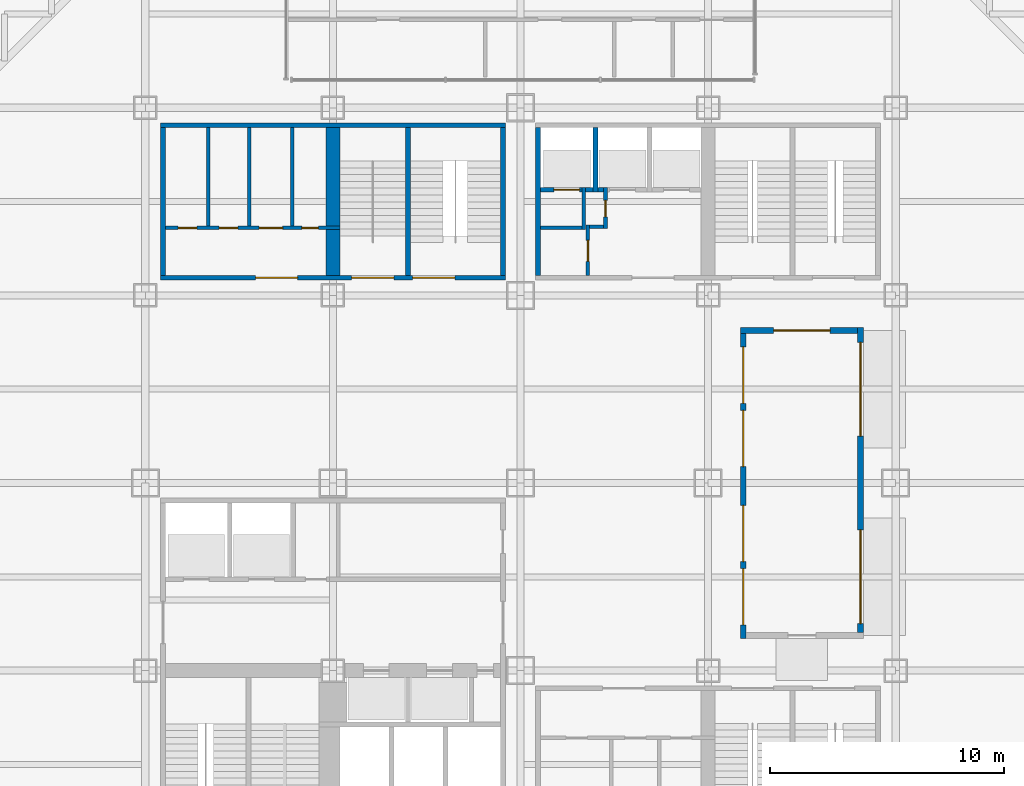
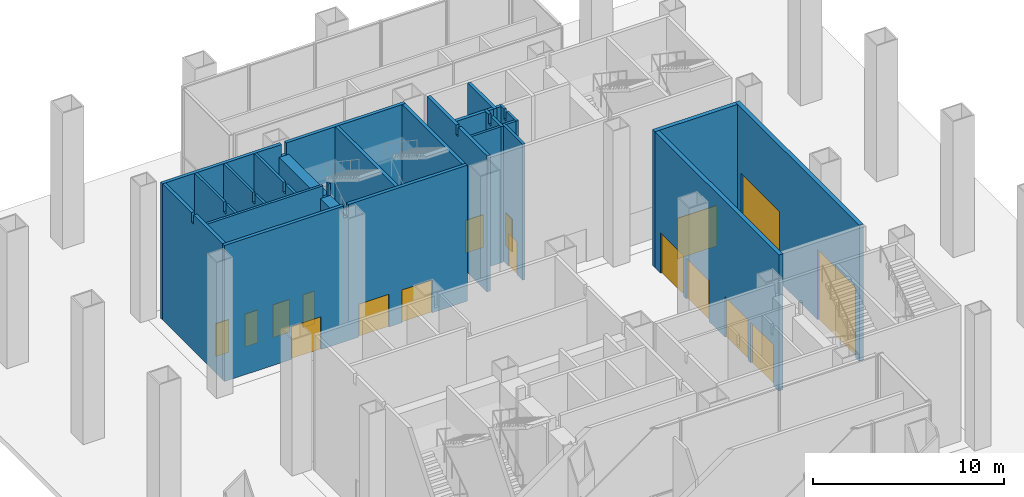
# One storey, part 9 of 14: 24 walls, 17 doors, 17 openings.
"""IFC4 building model written with IfcOpenShell, lengths in metres."""

from ifc_helpers import new_model, si_unit, direction, frame, frame_2d, origin, place, context, subcontext, project, spatial, polyline, rectangle, outline, extrude, material, layer, layer_set, type_object, element, fill, save


model = new_model("IFC4")

# Units and contexts
model_context = context("Model", 3, precision=1e-05, world=origin(), true_north=direction((0.0, 1.0)))
body_context = subcontext(model_context, "Body", "Model", "MODEL_VIEW")
ifc_project = project(units=[si_unit("LENGTHUNIT", "METRE"), si_unit("AREAUNIT", "SQUARE_METRE"), si_unit("VOLUMEUNIT", "CUBIC_METRE"), si_unit("PLANEANGLEUNIT", "RADIAN"), si_unit("MASSUNIT", "GRAM", prefix="KILO")], contexts=[model_context])

# Site, building, storey
site_placement = place(None, origin())
site = spatial("IfcSite", under=ifc_project, at=site_placement, CompositionType="ELEMENT")
building_placement = place(site_placement, origin())
building = spatial("IfcBuilding", under=site, at=building_placement, Name="Immortelle Media Tower", CompositionType="ELEMENT")
storey_placement = place(building_placement, origin())
storey = spatial("IfcBuildingStorey", under=building, at=storey_placement, Name="G", CompositionType="ELEMENT", Elevation=0.0)

# Wall, openings, doors
ifc_material_1 = material(Name="Fire-rated gypsum board", Category="gypsum")
ifc_layer_1 = layer(ifc_material_1, 0.02490234375)
ifc_material_2 = material(Name="Steel ASTM A653 SS Gr 50 stud frame with mineral wool", Category="steel")
ifc_layer_2 = layer(ifc_material_2, 0.10009765625)
ifc_layer_3 = layer(ifc_material_1, 0.02490234375)
ifc_layer_set_1 = layer_set([ifc_layer_1, ifc_layer_2, ifc_layer_3], Name="Steel ASTM A653 SS Gr 50 stud frame with mineral wool")
wall_type_1 = type_object("IfcWallType", Name="Core partition 150", PredefinedType="PARTITIONING", material=ifc_layer_set_1)
wall_1_placement = place(storey_placement, frame((8.85009765625, 34.875, 0.0), z_axis=(0.0, 0.0, 1.0), x_axis=(1.0, 0.0, 0.0)))
wall_1 = element("IfcWall", 1, at=wall_1_placement, inside=storey, type_object=wall_type_1, Name="Core partition NW", PredefinedType="PARTITIONING", context=body_context, shape_type="SweptSolid", body=[
    extrude(outline(polyline([(0.0, 0.0), (7.449951171875, 0.0), (7.449951171875, 8.699951171875), (7.28857421875, 8.699951171875), (7.28759765625, 7.931884765625), (7.012451171875, 7.931884765625), (7.011474609375, 8.699951171875), (0.0, 8.699951171875), (0.0, 0.0)])), frame((0.0, 0.074951171875, 0.0), z_axis=(0.0, -1.0, 0.0), x_axis=(1.0, 0.0, 0.0)), (0.0, 0.0, 1.0), 0.14990234375),
])
opening_1_placement = place(wall_1_placement, frame((0.550048828125, 0.0, 0.0)))
opening_1 = element("IfcOpeningElement", 2, at=opening_1_placement, cuts=wall_1, Name="Opening G-K023", PredefinedType="OPENING", context=body_context, shape_type="SweptSolid", body=[
    extrude(rectangle(XDim=0.800048828125, YDim=2.10009765625, at=frame_2d((0.39990234375, 1.050048828125))), frame((0.0, 0.0849609375, 0.0), z_axis=(0.0, -1.0, 0.0), x_axis=(1.0, 0.0, 0.0)), (0.0, 0.0, 1.0), 0.169921875),
])
opening_2_placement = place(wall_1_placement, frame((2.300048828125, 0.0, 0.0)))
opening_2 = element("IfcOpeningElement", 3, at=opening_2_placement, cuts=wall_1, Name="Opening G-K024", PredefinedType="OPENING", context=body_context, shape_type="SweptSolid", body=[
    extrude(rectangle(XDim=0.800048828125, YDim=2.10009765625, at=frame_2d((0.39990234375, 1.050048828125))), frame((0.0, 0.0849609375, 0.0), z_axis=(0.0, -1.0, 0.0), x_axis=(1.0, 0.0, 0.0)), (0.0, 0.0, 1.0), 0.169921875),
])
opening_3_placement = place(wall_1_placement, frame((4.0, 0.0, 0.0)))
opening_3 = element("IfcOpeningElement", 4, at=opening_3_placement, cuts=wall_1, Name="Opening G-K025", PredefinedType="OPENING", context=body_context, shape_type="SweptSolid", body=[
    extrude(rectangle(XDim=1.0, YDim=2.10009765625, at=frame_2d((0.5, 1.050048828125))), frame((0.0, 0.0849609375, 0.0), z_axis=(0.0, -1.0, 0.0), x_axis=(1.0, 0.0, 0.0)), (0.0, 0.0, 1.0), 0.169921875),
])
opening_4_placement = place(wall_1_placement, frame((5.824951171875, 0.0, 0.0)))
opening_4 = element("IfcOpeningElement", 5, at=opening_4_placement, cuts=wall_1, Name="Opening G-K027", PredefinedType="OPENING", context=body_context, shape_type="SweptSolid", body=[
    extrude(rectangle(XDim=0.699951171875, YDim=2.10009765625, at=frame_2d((0.35009765625, 1.050048828125))), frame((0.0, 0.0849609375, 0.0), z_axis=(0.0, -1.0, 0.0), x_axis=(1.0, 0.0, 0.0)), (0.0, 0.0, 1.0), 0.169921875),
])
ifc_material_3 = material(Name="Timber", Category="wood")
door_type_1 = type_object("IfcDoorType", Name="Accessible toilet door 1000 x 2100", OperationType="NOTDEFINED", PredefinedType="NOTDEFINED", material=ifc_material_3)
door_1_placement = place(opening_3_placement, origin())
door_1 = element("IfcDoor", 6, at=door_1_placement, inside=storey, type_object=door_type_1, Name="Accessible toilet G-K025", OperationType="SINGLE_SWING_RIGHT", OverallHeight=2.10009765625, OverallWidth=1.0, PredefinedType="NOTDEFINED", context=body_context, shape_type="SweptSolid", body=[
    extrude(rectangle(XDim=1.0, YDim=2.10009765625, at=frame_2d((0.5, 1.050048828125))), frame((0.0, 0.02490234375, 0.0), z_axis=(0.0, -1.0, 0.0), x_axis=(1.0, 0.0, 0.0)), (0.0, 0.0, 1.0), 0.050048828125),
])
fill(opening_3, door_1)
ifc_material_4 = material(Name="Galvanised steel door leaf and frame ASTM A653", Category="steel")
door_type_2 = type_object("IfcDoorType", Name="Service door 700 x 2100", OperationType="NOTDEFINED", PredefinedType="NOTDEFINED", material=ifc_material_4)
door_2_placement = place(opening_4_placement, origin())
door_2 = element("IfcDoor", 7, at=door_2_placement, inside=storey, type_object=door_type_2, Name="Service G-K027", OperationType="SINGLE_SWING_LEFT", OverallHeight=2.10009765625, OverallWidth=0.699951171875, PredefinedType="NOTDEFINED", context=body_context, shape_type="SweptSolid", body=[
    extrude(rectangle(XDim=0.699951171875, YDim=2.10009765625, at=frame_2d((0.35009765625, 1.050048828125))), frame((0.0, 0.02490234375, 0.0), z_axis=(0.0, -1.0, 0.0), x_axis=(1.0, 0.0, 0.0)), (0.0, 0.0, 1.0), 0.050048828125),
])
fill(opening_4, door_2)
door_type_3 = type_object("IfcDoorType", Name="Toilet door 800 x 2100", OperationType="NOTDEFINED", PredefinedType="NOTDEFINED", material=ifc_material_3)
door_3_placement = place(opening_1_placement, origin())
door_3 = element("IfcDoor", 8, at=door_3_placement, inside=storey, type_object=door_type_3, Name="Toilet G-K023", OperationType="SINGLE_SWING_RIGHT", OverallHeight=2.10009765625, OverallWidth=0.800048828125, PredefinedType="NOTDEFINED", context=body_context, shape_type="SweptSolid", body=[
    extrude(rectangle(XDim=0.800048828125, YDim=2.10009765625, at=frame_2d((0.39990234375, 1.050048828125))), frame((0.0, 0.02490234375, 0.0), z_axis=(0.0, -1.0, 0.0), x_axis=(1.0, 0.0, 0.0)), (0.0, 0.0, 1.0), 0.050048828125),
])
fill(opening_1, door_3)
door_4_placement = place(opening_2_placement, origin())
door_4 = element("IfcDoor", 9, at=door_4_placement, inside=storey, type_object=door_type_3, Name="Toilet G-K024", OperationType="SINGLE_SWING_LEFT", OverallHeight=2.10009765625, OverallWidth=0.800048828125, PredefinedType="NOTDEFINED", context=body_context, shape_type="SweptSolid", body=[
    extrude(rectangle(XDim=0.800048828125, YDim=2.10009765625, at=frame_2d((0.39990234375, 1.050048828125))), frame((0.0, 0.02490234375, 0.0), z_axis=(0.0, -1.0, 0.0), x_axis=(1.0, 0.0, 0.0)), (0.0, 0.0, 1.0), 0.050048828125),
])
fill(opening_2, door_4)

# Walls
for number, where, z_axis, x_axis, name in (
    (10, (10.675048828125, 34.949951171875, 0.0), (0.0, 0.0, 1.0), (0.0, 1.0, 0.0), "Core partition NW"),
    (11, (12.425048828125, 34.949951171875, 0.0), (0.0, 0.0, 1.0), (0.0, 1.0, 0.0), "Core partition NW"),
    (12, (14.27490234375, 34.949951171875, 0.0), (0.0, 0.0, 1.0), (0.0, 1.0, 0.0), "Core partition NW"),
):
    element("IfcWall", number, at=place(storey_placement, frame(where, z_axis=z_axis, x_axis=x_axis)), inside=storey, type_object=wall_type_1, Name=name, PredefinedType="PARTITIONING", context=body_context, shape_type="SweptSolid", body=[
        extrude(outline(polyline([(0.0, 0.0), (4.199951171875, 0.0), (4.199951171875, 8.699951171875), (1.16943359375, 8.699951171875), (1.16845703125, 8.08203125), (0.931396484375, 8.08203125), (0.930419921875, 8.699951171875), (0.0, 8.699951171875), (0.0, 0.0)])), frame((0.0, 0.074951171875, 0.0), z_axis=(0.0, -1.0, 0.0), x_axis=(1.0, 0.0, 0.0)), (0.0, 0.0, 1.0), 0.14990234375),
    ])
wall_2_placement = place(storey_placement, frame((24.85009765625, 34.875, 0.0), z_axis=(0.0, 0.0, 1.0), x_axis=(1.0, 0.0, 0.0)))
element("IfcWall", 13, at=wall_2_placement, inside=storey, type_object=wall_type_1, Name="Core partition NE", PredefinedType="PARTITIONING", context=body_context, shape_type="SweptSolid", body=[
    extrude(rectangle(XDim=1.77490234375, YDim=0.14990234375, at=frame_2d((0.887451171875, 0.0))), origin(), (0.0, 0.0, 1.0), 8.699951171875),
])
wall_3_placement = place(storey_placement, frame((26.699951171875, 34.800048828125, 0.0), z_axis=(0.0, 0.0, 1.0), x_axis=(0.0, 1.0, 0.0)))
element("IfcWall", 14, at=wall_3_placement, inside=storey, type_object=wall_type_1, Name="Core partition NE", PredefinedType="PARTITIONING", context=body_context, shape_type="SweptSolid", body=[
    extrude(outline(polyline([(0.0, 0.0), (1.800048828125, 0.0), (1.800048828125, 8.699951171875), (1.319580078125, 8.699951171875), (1.318603515625, 8.08203125), (1.08154296875, 8.08203125), (1.08056640625, 8.699951171875), (0.0, 8.699951171875), (0.0, 0.0)])), frame((0.0, 0.074951171875, 0.0), z_axis=(0.0, -1.0, 0.0), x_axis=(1.0, 0.0, 0.0)), (0.0, 0.0, 1.0), 0.14990234375),
])

# Wall, opening, door
wall_4_placement = place(storey_placement, frame((26.875, 32.85009765625, 0.0), z_axis=(0.0, 0.0, 1.0), x_axis=(0.0, 1.0, 0.0)))
wall_4 = element("IfcWall", 15, at=wall_4_placement, inside=storey, type_object=wall_type_1, Name="Core partition NE", PredefinedType="PARTITIONING", context=body_context, shape_type="SweptSolid", body=[
    extrude(rectangle(XDim=2.14990234375, YDim=0.14990234375, at=frame_2d((1.074951171875, 0.0))), origin(), (0.0, 0.0, 1.0), 8.699951171875),
])
opening_5_placement = place(wall_4_placement, frame((0.60009765625, 0.0, 0.0)))
opening_5 = element("IfcOpeningElement", 16, at=opening_5_placement, cuts=wall_4, Name="Opening G-K031", PredefinedType="OPENING", context=body_context, shape_type="SweptSolid", body=[
    extrude(rectangle(XDim=0.89990234375, YDim=2.10009765625, at=frame_2d((0.449951171875, 1.050048828125))), frame((0.0, 0.0849609375, 0.0), z_axis=(0.0, -1.0, 0.0), x_axis=(1.0, 0.0, 0.0)), (0.0, 0.0, 1.0), 0.169921875),
])
door_type_4 = type_object("IfcDoorType", Name="Service door 900 x 2100", OperationType="NOTDEFINED", PredefinedType="NOTDEFINED", material=ifc_material_4)
door_5_placement = place(opening_5_placement, origin())
door_5 = element("IfcDoor", 17, at=door_5_placement, inside=storey, type_object=door_type_4, Name="Service G-K031", OperationType="SINGLE_SWING_RIGHT", OverallHeight=2.10009765625, OverallWidth=0.89990234375, PredefinedType="NOTDEFINED", context=body_context, shape_type="SweptSolid", body=[
    extrude(rectangle(XDim=0.89990234375, YDim=2.10009765625, at=frame_2d((0.449951171875, 1.050048828125))), frame((0.0, 0.02490234375, 0.0), z_axis=(0.0, -1.0, 0.0), x_axis=(1.0, 0.0, 0.0)), (0.0, 0.0, 1.0), 0.050048828125),
])
fill(opening_5, door_5)

# Wall
wall_5_placement = place(storey_placement, frame((26.949951171875, 34.925048828125, 0.0), z_axis=(0.0, 0.0, 1.0), x_axis=(1.0, 0.0, 0.0)))
element("IfcWall", 18, at=wall_5_placement, inside=storey, type_object=wall_type_1, Name="Core partition NE", PredefinedType="PARTITIONING", context=body_context, shape_type="SweptSolid", body=[
    extrude(rectangle(XDim=0.60009765625, YDim=0.14990234375, at=frame_2d((0.300048828125, 0.0))), origin(), (0.0, 0.0, 1.0), 8.699951171875),
])

# Wall, opening, door
wall_6_placement = place(storey_placement, frame((27.625, 34.85009765625, 0.0), z_axis=(0.0, 0.0, 1.0), x_axis=(0.0, 1.0, 0.0)))
wall_6 = element("IfcWall", 19, at=wall_6_placement, inside=storey, type_object=wall_type_1, Name="Core partition NE", PredefinedType="PARTITIONING", context=body_context, shape_type="SweptSolid", body=[
    extrude(outline(polyline([(0.0, 0.0), (1.75, 0.0), (1.75, 8.699951171875), (1.26953125, 8.699951171875), (1.2685546875, 8.08203125), (1.031494140625, 8.08203125), (1.030517578125, 8.699951171875), (0.0, 8.699951171875), (0.0, 0.0)])), frame((0.0, 0.074951171875, 0.0), z_axis=(0.0, -1.0, 0.0), x_axis=(1.0, 0.0, 0.0)), (0.0, 0.0, 1.0), 0.14990234375),
])
opening_6_placement = place(wall_6_placement, frame((0.5, 0.0, 0.0)))
opening_6 = element("IfcOpeningElement", 20, at=opening_6_placement, cuts=wall_6, Name="Opening G-K032", PredefinedType="OPENING", context=body_context, shape_type="SweptSolid", body=[
    extrude(rectangle(XDim=0.699951171875, YDim=2.10009765625, at=frame_2d((0.35009765625, 1.050048828125))), frame((0.0, 0.0849609375, 0.0), z_axis=(0.0, -1.0, 0.0), x_axis=(1.0, 0.0, 0.0)), (0.0, 0.0, 1.0), 0.169921875),
])
door_6_placement = place(opening_6_placement, origin())
door_6 = element("IfcDoor", 21, at=door_6_placement, inside=storey, type_object=door_type_2, Name="Service G-K032", OperationType="SINGLE_SWING_RIGHT", OverallHeight=2.10009765625, OverallWidth=0.699951171875, PredefinedType="NOTDEFINED", context=body_context, shape_type="SweptSolid", body=[
    extrude(rectangle(XDim=0.699951171875, YDim=2.10009765625, at=frame_2d((0.35009765625, 1.050048828125))), frame((0.0, 0.02490234375, 0.0), z_axis=(0.0, -1.0, 0.0), x_axis=(1.0, 0.0, 0.0)), (0.0, 0.0, 1.0), 0.050048828125),
])
fill(opening_6, door_6)

# Walls
ifc_layer_4 = layer(ifc_material_1, 0.03759765625)
ifc_layer_5 = layer(ifc_material_2, 0.125)
ifc_layer_6 = layer(ifc_material_1, 0.03759765625)
ifc_layer_set_2 = layer_set([ifc_layer_4, ifc_layer_5, ifc_layer_6], Name="Steel ASTM A653 SS Gr 50 stud frame with mineral wool")
wall_type_2 = type_object("IfcWallType", Name="Core shaft wall 200", PredefinedType="PARTITIONING", material=ifc_layer_set_2)
for number, where, z_axis, x_axis, name in (
    (22, (8.75, 32.85009765625, 0.0), (0.0, 0.0, 1.0), (0.0, 1.0, 0.0), "Core shaft wall NW"),
    (23, (24.75, 32.85009765625, 0.0), (0.0, 0.0, 1.0), (0.0, 1.0, 0.0), "Core shaft wall NE"),
):
    element("IfcWall", number, at=place(storey_placement, frame(where, z_axis=z_axis, x_axis=x_axis)), inside=storey, type_object=wall_type_2, Name=name, PredefinedType="PARTITIONING", context=body_context, shape_type="SweptSolid", body=[
        extrude(outline(polyline([(0.0, 0.0), (6.2998046875, 0.0), (6.300048828125, 8.699951171875), (3.26953125, 8.699951171875), (3.2685546875, 8.08203125), (3.031494140625, 8.08203125), (3.030517578125, 8.699951171875), (0.0, 8.699951171875), (0.0, 0.0)])), frame((0.0, 0.10009765625, 0.0), z_axis=(0.0, -1.0, 0.0), x_axis=(1.0, 0.0, 0.0)), (0.0, 0.0, 1.0), 0.199951171875),
    ])

# Wall, opening, door
wall_7_placement = place(storey_placement, frame((24.85009765625, 36.5, 0.0), z_axis=(0.0, 0.0, 1.0), x_axis=(1.0, 0.0, 0.0)))
wall_7 = element("IfcWall", 24, at=wall_7_placement, inside=storey, type_object=wall_type_2, Name="Core shaft wall NE", PredefinedType="PARTITIONING", context=body_context, shape_type="SweptSolid", body=[
    extrude(rectangle(XDim=1.77490234375, YDim=0.199951171875, at=frame_2d((0.887451171875, 0.0))), origin(), (0.0, 0.0, 1.0), 8.699951171875),
])
opening_7_placement = place(wall_7_placement, frame((0.574951171875, 0.0, 0.0)))
opening_7 = element("IfcOpeningElement", 25, at=opening_7_placement, cuts=wall_7, Name="Opening LD", PredefinedType="OPENING", context=body_context, shape_type="SweptSolid", body=[
    extrude(rectangle(XDim=1.10009765625, YDim=2.10009765625, at=frame_2d((0.550048828125, 1.050048828125))), frame((0.0, 0.10986328125, 0.0), z_axis=(0.0, -1.0, 0.0), x_axis=(1.0, 0.0, 0.0)), (0.0, 0.0, 1.0), 0.219970703125),
])
ifc_material_5 = material(Name="Stainless steel AISI 304", Category="steel")
door_type_5 = type_object("IfcDoorType", Name="Landing door 1100 x 2100", OperationType="SLIDING_TO_LEFT", PredefinedType="NOTDEFINED", material=ifc_material_5)
door_7_placement = place(opening_7_placement, origin())
door_7 = element("IfcDoor", 26, at=door_7_placement, inside=storey, type_object=door_type_5, Name="Landing door LR1 G", OperationType="SLIDING_TO_LEFT", OverallHeight=2.10009765625, OverallWidth=1.10009765625, PredefinedType="NOTDEFINED", context=body_context, shape_type="SweptSolid", body=[
    extrude(rectangle(XDim=1.10009765625, YDim=2.10009765625, at=frame_2d((0.550048828125, 1.050048828125))), frame((0.0, 0.02490234375, 0.0), z_axis=(0.0, -1.0, 0.0), x_axis=(1.0, 0.0, 0.0)), (0.0, 0.0, 1.0), 0.050048828125),
])
fill(opening_7, door_7)

# Walls
wall_8_placement = place(storey_placement, frame((26.77490234375, 36.5, 0.0), z_axis=(0.0, 0.0, 1.0), x_axis=(1.0, 0.0, 0.0)))
element("IfcWall", 27, at=wall_8_placement, inside=storey, type_object=wall_type_2, Name="Core shaft wall NE", PredefinedType="PARTITIONING", context=body_context, shape_type="SweptSolid", body=[
    extrude(rectangle(XDim=0.3251953125, YDim=0.199951171875, at=frame_2d((0.16259765625, 0.0))), origin(), (0.0, 0.0, 1.0), 8.699951171875),
])
wall_9_placement = place(storey_placement, frame((27.199951171875, 36.39990234375, 0.0), z_axis=(0.0, 0.0, 1.0), x_axis=(0.0, 1.0, 0.0)))
element("IfcWall", 28, at=wall_9_placement, inside=storey, type_object=wall_type_2, Name="Core shaft wall NE", PredefinedType="PARTITIONING", context=body_context, shape_type="SweptSolid", body=[
    extrude(rectangle(XDim=2.75, YDim=0.199951171875, at=frame_2d((1.375, 0.0))), origin(), (0.0, 0.0, 1.0), 8.699951171875),
])
wall_10_placement = place(storey_placement, frame((27.300048828125, 36.5, 0.0), z_axis=(0.0, 0.0, 1.0), x_axis=(1.0, 0.0, 0.0)))
element("IfcWall", 29, at=wall_10_placement, inside=storey, type_object=wall_type_2, Name="Core shaft wall NE", PredefinedType="PARTITIONING", context=body_context, shape_type="SweptSolid", body=[
    extrude(rectangle(XDim=0.25, YDim=0.199951171875, at=frame_2d((0.125, 0.0))), origin(), (0.0, 0.0, 1.0), 8.699951171875),
])

# Wall, openings, doors
ifc_material_6 = material(Name="Pale aluminium cladding panel", Category="aluminium")
ifc_layer_7 = layer(ifc_material_6, 0.030029296875)
ifc_layer_8 = layer(ifc_material_2, 0.20751953125)
ifc_material_7 = material(Name="Moisture-resistant gypsum board", Category="gypsum")
ifc_layer_9 = layer(ifc_material_7, 0.012451171875)
ifc_layer_set_3 = layer_set([ifc_layer_7, ifc_layer_8, ifc_layer_9], Name="Steel ASTM A653 SS Gr 50 stud frame with mineral wool")
wall_type_3 = type_object("IfcWallType", Name="Pavilion portal wall 250", PredefinedType="STANDARD", material=ifc_layer_set_3)
wall_11_placement = place(storey_placement, frame((38.5, 17.625, 0.0), z_axis=(0.0, 0.0, 1.0), x_axis=(0.0, 1.0, 0.0)))
wall_11 = element("IfcWall", 30, at=wall_11_placement, inside=storey, type_object=wall_type_3, Name="Service pavilion wall G E 1", PredefinedType="STANDARD", context=body_context, shape_type="SweptSolid", body=[
    extrude(rectangle(XDim=13.0, YDim=0.25, at=frame_2d((6.5, 0.0))), origin(), (0.0, 0.0, 1.0), 8.699951171875),
])
opening_8_placement = place(wall_11_placement, frame((4.375, 0.0, 0.0), z_axis=(0.0, 0.0, 1.0), x_axis=(-1.0, 0.0, 0.0)))
opening_8 = element("IfcOpeningElement", 31, at=opening_8_placement, cuts=wall_11, Name="Opening G-E05", PredefinedType="OPENING", context=body_context, shape_type="SweptSolid", body=[
    extrude(rectangle(XDim=4.0, YDim=4.5, at=frame_2d((2.0, 2.25))), frame((0.0, 0.135009765625, 0.0), z_axis=(0.0, -1.0, 0.0), x_axis=(1.0, 0.0, 0.0)), (0.0, 0.0, 1.0), 0.27001953125),
])
opening_9_placement = place(wall_11_placement, frame((12.375, 0.0, 0.0), z_axis=(0.0, 0.0, 1.0), x_axis=(-1.0, 0.0, 0.0)))
opening_9 = element("IfcOpeningElement", 32, at=opening_9_placement, cuts=wall_11, Name="Opening G-E06", PredefinedType="OPENING", context=body_context, shape_type="SweptSolid", body=[
    extrude(rectangle(XDim=4.0, YDim=4.5, at=frame_2d((2.0, 2.25))), frame((0.0, 0.135009765625, 0.0), z_axis=(0.0, -1.0, 0.0), x_axis=(1.0, 0.0, 0.0)), (0.0, 0.0, 1.0), 0.27001953125),
])
ifc_material_8 = material(Name="Galvanised steel slats ASTM A653, polyester powder coated", Category="steel")
door_type_6 = type_object("IfcDoorType", Name="Roller shutter door 4000", OperationType="ROLLINGUP", PredefinedType="GATE", material=ifc_material_8)
door_8_placement = place(opening_8_placement, origin())
door_8 = element("IfcDoor", 33, at=door_8_placement, inside=storey, type_object=door_type_6, Name="Roller door G-E05", OperationType="ROLLINGUP", OverallHeight=4.5, OverallWidth=4.0, PredefinedType="GATE", context=body_context, shape_type="SweptSolid", body=[
    extrude(rectangle(XDim=4.0, YDim=4.5, at=frame_2d((2.0, 2.25))), frame((0.0, 0.02490234375, 0.0), z_axis=(0.0, -1.0, 0.0), x_axis=(1.0, 0.0, 0.0)), (0.0, 0.0, 1.0), 0.050048828125),
])
fill(opening_8, door_8)
door_9_placement = place(opening_9_placement, origin())
door_9 = element("IfcDoor", 34, at=door_9_placement, inside=storey, type_object=door_type_6, Name="Roller door G-E06", OperationType="ROLLINGUP", OverallHeight=4.5, OverallWidth=4.0, PredefinedType="GATE", context=body_context, shape_type="SweptSolid", body=[
    extrude(rectangle(XDim=4.0, YDim=4.5, at=frame_2d((2.0, 2.25))), frame((0.0, 0.02490234375, 0.0), z_axis=(0.0, -1.0, 0.0), x_axis=(1.0, 0.0, 0.0)), (0.0, 0.0, 1.0), 0.050048828125),
])
fill(opening_9, door_9)

# Wall, opening, door
wall_12_placement = place(storey_placement, frame((38.375, 30.5, 0.0), z_axis=(0.0, 0.0, 1.0), x_axis=(-1.0, 0.0, 0.0)))
wall_12 = element("IfcWall", 35, at=wall_12_placement, inside=storey, type_object=wall_type_3, Name="Service pavilion wall G N 2", PredefinedType="STANDARD", context=body_context, shape_type="SweptSolid", body=[
    extrude(rectangle(XDim=5.0, YDim=0.25, at=frame_2d((2.5, 0.0))), origin(), (0.0, 0.0, 1.0), 8.699951171875),
])
opening_10_placement = place(wall_12_placement, frame((3.574951171875, 0.0, 0.0), z_axis=(0.0, 0.0, 1.0), x_axis=(-1.0, 0.0, 0.0)))
opening_10 = element("IfcOpeningElement", 36, at=opening_10_placement, cuts=wall_12, Name="Opening G-E12", PredefinedType="OPENING", context=body_context, shape_type="SweptSolid", body=[
    extrude(rectangle(XDim=2.39990234375, YDim=2.60009765625, at=frame_2d((1.199951171875, 1.300048828125))), frame((0.0, 0.135009765625, 0.0), z_axis=(0.0, -1.0, 0.0), x_axis=(1.0, 0.0, 0.0)), (0.0, 0.0, 1.0), 0.27001953125),
])
ifc_material_9 = material(Name="Aluminium frame, toughened glass", Category="aluminium")
door_type_7 = type_object("IfcDoorType", Name="Automatic sliding entrance door 2400", OperationType="DOUBLE_DOOR_SLIDING", PredefinedType="DOOR", material=ifc_material_9)
door_10_placement = place(opening_10_placement, origin())
door_10 = element("IfcDoor", 37, at=door_10_placement, inside=storey, type_object=door_type_7, Name="Entrance door G-E12", OperationType="DOUBLE_DOOR_SLIDING", OverallHeight=2.60009765625, OverallWidth=2.39990234375, PredefinedType="DOOR", context=body_context, shape_type="SweptSolid", body=[
    extrude(rectangle(XDim=2.39990234375, YDim=2.60009765625, at=frame_2d((1.199951171875, 1.300048828125))), frame((0.0, 0.02490234375, 0.0), z_axis=(0.0, -1.0, 0.0), x_axis=(1.0, 0.0, 0.0)), (0.0, 0.0, 1.0), 0.050048828125),
])
fill(opening_10, door_10)

# Wall, openings, doors
wall_13_placement = place(storey_placement, frame((33.5, 30.375, 0.0), z_axis=(0.0, 0.0, 1.0), x_axis=(0.0, -1.0, 0.0)))
wall_13 = element("IfcWall", 38, at=wall_13_placement, inside=storey, type_object=wall_type_3, Name="Service pavilion wall G W 3", PredefinedType="STANDARD", context=body_context, shape_type="SweptSolid", body=[
    extrude(rectangle(XDim=13.0, YDim=0.25, at=frame_2d((6.5, 0.0))), origin(), (0.0, 0.0, 1.0), 8.699951171875),
])
opening_11_placement = place(wall_13_placement, frame((12.4248046875, 0.0, 0.0), z_axis=(0.0, 0.0, 1.0), x_axis=(-1.0, 0.0, 0.0)))
opening_11 = element("IfcOpeningElement", 39, at=opening_11_placement, cuts=wall_13, Name="Opening G-E08", PredefinedType="OPENING", context=body_context, shape_type="SweptSolid", body=[
    extrude(rectangle(XDim=2.39990234375, YDim=2.60009765625, at=frame_2d((1.199951171875, 1.300048828125))), frame((0.0, 0.135009765625, 0.0), z_axis=(0.0, -1.0, 0.0), x_axis=(1.0, 0.0, 0.0)), (0.0, 0.0, 1.0), 0.27001953125),
])
opening_12_placement = place(wall_13_placement, frame((9.724853515625, 0.0, 0.0), z_axis=(0.0, 0.0, 1.0), x_axis=(-1.0, 0.0, 0.0)))
opening_12 = element("IfcOpeningElement", 40, at=opening_12_placement, cuts=wall_13, Name="Opening G-E09", PredefinedType="OPENING", context=body_context, shape_type="SweptSolid", body=[
    extrude(rectangle(XDim=2.39990234375, YDim=2.60009765625, at=frame_2d((1.199951171875, 1.300048828125))), frame((0.0, 0.135009765625, 0.0), z_axis=(0.0, -1.0, 0.0), x_axis=(1.0, 0.0, 0.0)), (0.0, 0.0, 1.0), 0.27001953125),
])
opening_13_placement = place(wall_13_placement, frame((5.6748046875, 0.0, 0.0), z_axis=(0.0, 0.0, 1.0), x_axis=(-1.0, 0.0, 0.0)))
opening_13 = element("IfcOpeningElement", 41, at=opening_13_placement, cuts=wall_13, Name="Opening G-E10", PredefinedType="OPENING", context=body_context, shape_type="SweptSolid", body=[
    extrude(rectangle(XDim=2.39990234375, YDim=2.60009765625, at=frame_2d((1.199951171875, 1.300048828125))), frame((0.0, 0.135009765625, 0.0), z_axis=(0.0, -1.0, 0.0), x_axis=(1.0, 0.0, 0.0)), (0.0, 0.0, 1.0), 0.27001953125),
])
opening_14_placement = place(wall_13_placement, frame((2.974853515625, 0.0, 0.0), z_axis=(0.0, 0.0, 1.0), x_axis=(-1.0, 0.0, 0.0)))
opening_14 = element("IfcOpeningElement", 42, at=opening_14_placement, cuts=wall_13, Name="Opening G-E11", PredefinedType="OPENING", context=body_context, shape_type="SweptSolid", body=[
    extrude(rectangle(XDim=2.39990234375, YDim=2.60009765625, at=frame_2d((1.199951171875, 1.300048828125))), frame((0.0, 0.135009765625, 0.0), z_axis=(0.0, -1.0, 0.0), x_axis=(1.0, 0.0, 0.0)), (0.0, 0.0, 1.0), 0.27001953125),
])
door_11_placement = place(opening_11_placement, origin())
door_11 = element("IfcDoor", 43, at=door_11_placement, inside=storey, type_object=door_type_7, Name="Entrance door G-E08", OperationType="DOUBLE_DOOR_SLIDING", OverallHeight=2.60009765625, OverallWidth=2.39990234375, PredefinedType="DOOR", context=body_context, shape_type="SweptSolid", body=[
    extrude(rectangle(XDim=2.39990234375, YDim=2.60009765625, at=frame_2d((1.199951171875, 1.300048828125))), frame((0.0, 0.02490234375, 0.0), z_axis=(0.0, -1.0, 0.0), x_axis=(1.0, 0.0, 0.0)), (0.0, 0.0, 1.0), 0.050048828125),
])
fill(opening_11, door_11)
door_12_placement = place(opening_12_placement, origin())
door_12 = element("IfcDoor", 44, at=door_12_placement, inside=storey, type_object=door_type_7, Name="Entrance door G-E09", OperationType="DOUBLE_DOOR_SLIDING", OverallHeight=2.60009765625, OverallWidth=2.39990234375, PredefinedType="DOOR", context=body_context, shape_type="SweptSolid", body=[
    extrude(rectangle(XDim=2.39990234375, YDim=2.60009765625, at=frame_2d((1.199951171875, 1.300048828125))), frame((0.0, 0.02490234375, 0.0), z_axis=(0.0, -1.0, 0.0), x_axis=(1.0, 0.0, 0.0)), (0.0, 0.0, 1.0), 0.050048828125),
])
fill(opening_12, door_12)
door_13_placement = place(opening_13_placement, origin())
door_13 = element("IfcDoor", 45, at=door_13_placement, inside=storey, type_object=door_type_7, Name="Entrance door G-E10", OperationType="DOUBLE_DOOR_SLIDING", OverallHeight=2.60009765625, OverallWidth=2.39990234375, PredefinedType="DOOR", context=body_context, shape_type="SweptSolid", body=[
    extrude(rectangle(XDim=2.39990234375, YDim=2.60009765625, at=frame_2d((1.199951171875, 1.300048828125))), frame((0.0, 0.02490234375, 0.0), z_axis=(0.0, -1.0, 0.0), x_axis=(1.0, 0.0, 0.0)), (0.0, 0.0, 1.0), 0.050048828125),
])
fill(opening_13, door_13)
door_14_placement = place(opening_14_placement, origin())
door_14 = element("IfcDoor", 46, at=door_14_placement, inside=storey, type_object=door_type_7, Name="Entrance door G-E11", OperationType="DOUBLE_DOOR_SLIDING", OverallHeight=2.60009765625, OverallWidth=2.39990234375, PredefinedType="DOOR", context=body_context, shape_type="SweptSolid", body=[
    extrude(rectangle(XDim=2.39990234375, YDim=2.60009765625, at=frame_2d((1.199951171875, 1.300048828125))), frame((0.0, 0.02490234375, 0.0), z_axis=(0.0, -1.0, 0.0), x_axis=(1.0, 0.0, 0.0)), (0.0, 0.0, 1.0), 0.050048828125),
])
fill(opening_14, door_14)

ifc_material_10 = material(Name="Concrete C60", Category="concrete")
ifc_layer_10 = layer(ifc_material_10, 0.199951171875)
ifc_layer_set_4 = layer_set([ifc_layer_10], Name="Concrete C60")
wall_type_4 = type_object("IfcWallType", Name="Stair shaft wall 200", PredefinedType="PARTITIONING", material=ifc_layer_set_4)
wall_14_placement = place(storey_placement, frame((8.64990234375, 32.75, 0.0), z_axis=(0.0, 0.0, 1.0), x_axis=(1.0, 0.0, 0.0)))
wall_14 = element("IfcWall", 47, at=wall_14_placement, inside=storey, type_object=wall_type_4, Name="Stair shaft wall NW", PredefinedType="PARTITIONING", context=body_context, shape_type="SweptSolid", body=[
    extrude(outline(polyline([(0.0, 0.0), (14.7001953125, 0.0), (14.699951171875, 8.699951171875), (7.488525390625, 8.699951171875), (7.487548828125, 7.931884765625), (7.21240234375, 7.931884765625), (7.21142578125, 8.699951171875), (0.0, 8.699951171875), (0.0, 0.0)])), frame((0.0, 0.10009765625, 0.0), z_axis=(0.0, -1.0, 0.0), x_axis=(1.0, 0.0, 0.0)), (0.0, 0.0, 1.0), 0.199951171875),
])
opening_15_placement = place(wall_14_placement, frame((4.050048828125, 0.0, 0.0)))
opening_15 = element("IfcOpeningElement", 48, at=opening_15_placement, cuts=wall_14, Name="Opening G-K026", PredefinedType="OPENING", context=body_context, shape_type="SweptSolid", body=[
    extrude(rectangle(XDim=1.800048828125, YDim=2.10009765625, at=frame_2d((0.89990234375, 1.050048828125))), frame((0.0, 0.10986328125, 0.0), z_axis=(0.0, -1.0, 0.0), x_axis=(1.0, 0.0, 0.0)), (0.0, 0.0, 1.0), 0.219970703125),
])
opening_16_placement = place(wall_14_placement, frame((9.949951171875, 0.0, 0.0), z_axis=(0.0, 0.0, 1.0), x_axis=(-1.0, 0.0, 0.0)))
opening_16 = element("IfcOpeningElement", 49, at=opening_16_placement, cuts=wall_14, Name="Opening G-K028", PredefinedType="OPENING", context=body_context, shape_type="SweptSolid", body=[
    extrude(rectangle(XDim=1.800048828125, YDim=2.10009765625, at=frame_2d((0.89990234375, 1.050048828125))), frame((0.0, 0.10986328125, 0.0), z_axis=(0.0, -1.0, 0.0), x_axis=(1.0, 0.0, 0.0)), (0.0, 0.0, 1.0), 0.219970703125),
])
opening_17_placement = place(wall_14_placement, frame((12.550048828125, 0.0, 0.0), z_axis=(0.0, 0.0, 1.0), x_axis=(-1.0, 0.0, 0.0)))
opening_17 = element("IfcOpeningElement", 50, at=opening_17_placement, cuts=wall_14, Name="Opening G-K029", PredefinedType="OPENING", context=body_context, shape_type="SweptSolid", body=[
    extrude(rectangle(XDim=1.800048828125, YDim=2.10009765625, at=frame_2d((0.89990234375, 1.050048828125))), frame((0.0, 0.10986328125, 0.0), z_axis=(0.0, -1.0, 0.0), x_axis=(1.0, 0.0, 0.0)), (0.0, 0.0, 1.0), 0.219970703125),
])
door_type_8 = type_object("IfcDoorType", Name="Lift lobby door 1800 x 2100", OperationType="DOUBLE_DOOR_SINGLE_SWING", PredefinedType="NOTDEFINED", material=ifc_material_4)
door_15_placement = place(opening_15_placement, origin())
door_15 = element("IfcDoor", 51, at=door_15_placement, inside=storey, type_object=door_type_8, Name="Lift lobby G-K026", OperationType="DOUBLE_DOOR_SINGLE_SWING", OverallHeight=2.10009765625, OverallWidth=1.800048828125, PredefinedType="NOTDEFINED", context=body_context, shape_type="SweptSolid", body=[
    extrude(rectangle(XDim=1.800048828125, YDim=2.10009765625, at=frame_2d((0.89990234375, 1.050048828125))), frame((0.0, 0.02490234375, 0.0), z_axis=(0.0, -1.0, 0.0), x_axis=(1.0, 0.0, 0.0)), (0.0, 0.0, 1.0), 0.050048828125),
])
fill(opening_15, door_15)
door_type_9 = type_object("IfcDoorType", Name="Stair exit door 1800 x 2100", OperationType="DOUBLE_DOOR_SINGLE_SWING", PredefinedType="NOTDEFINED", material=ifc_material_4)
door_16_placement = place(opening_16_placement, origin())
door_16 = element("IfcDoor", 52, at=door_16_placement, inside=storey, type_object=door_type_9, Name="Stair exit G-K028", OperationType="DOUBLE_DOOR_SINGLE_SWING", OverallHeight=2.10009765625, OverallWidth=1.800048828125, PredefinedType="NOTDEFINED", context=body_context, shape_type="SweptSolid", body=[
    extrude(rectangle(XDim=1.800048828125, YDim=2.10009765625, at=frame_2d((0.89990234375, 1.050048828125))), frame((0.0, 0.02490234375, 0.0), z_axis=(0.0, -1.0, 0.0), x_axis=(1.0, 0.0, 0.0)), (0.0, 0.0, 1.0), 0.050048828125),
])
fill(opening_16, door_16)
door_17_placement = place(opening_17_placement, origin())
door_17 = element("IfcDoor", 53, at=door_17_placement, inside=storey, type_object=door_type_9, Name="Stair exit G-K029", OperationType="DOUBLE_DOOR_SINGLE_SWING", OverallHeight=2.10009765625, OverallWidth=1.800048828125, PredefinedType="NOTDEFINED", context=body_context, shape_type="SweptSolid", body=[
    extrude(rectangle(XDim=1.800048828125, YDim=2.10009765625, at=frame_2d((0.89990234375, 1.050048828125))), frame((0.0, 0.02490234375, 0.0), z_axis=(0.0, -1.0, 0.0), x_axis=(1.0, 0.0, 0.0)), (0.0, 0.0, 1.0), 0.050048828125),
])
fill(opening_17, door_17)

# Walls
wall_15_placement = place(storey_placement, frame((8.64990234375, 39.25, 0.0), z_axis=(0.0, 0.0, 1.0), x_axis=(1.0, 0.0, 0.0)))
element("IfcWall", 54, at=wall_15_placement, inside=storey, type_object=wall_type_4, Name="Stair shaft wall NW", PredefinedType="PARTITIONING", context=body_context, shape_type="SweptSolid", body=[
    extrude(outline(polyline([(0.0, 0.0), (14.7001953125, 0.0), (14.699951171875, 8.699951171875), (7.488525390625, 8.699951171875), (7.487548828125, 7.931884765625), (7.21240234375, 7.931884765625), (7.21142578125, 8.699951171875), (0.0, 8.699951171875), (0.0, 0.0)])), frame((0.0, 0.10009765625, 0.0), z_axis=(0.0, -1.0, 0.0), x_axis=(1.0, 0.0, 0.0)), (0.0, 0.0, 1.0), 0.199951171875),
])
for number, where, z_axis, x_axis, name in (
    (55, (19.199951171875, 32.85009765625, 0.0), (0.0, 0.0, 1.0), (0.0, 1.0, 0.0), "Stair shaft wall NW"),
    (56, (23.25, 32.85009765625, 0.0), (0.0, 0.0, 1.0), (0.0, 1.0, 0.0), "Stair shaft wall NW"),
):
    element("IfcWall", number, at=place(storey_placement, frame(where, z_axis=z_axis, x_axis=x_axis)), inside=storey, type_object=wall_type_4, Name=name, PredefinedType="PARTITIONING", context=body_context, shape_type="SweptSolid", body=[
        extrude(rectangle(XDim=6.2998046875, YDim=0.199951171875, at=frame_2d((3.14990234375, 0.0))), origin(), (0.0, 0.0, 1.0), 8.699951171875),
    ])
ifc_layer_11 = layer(ifc_material_10, 0.60009765625)
ifc_layer_set_5 = layer_set([ifc_layer_11], Name="Concrete C60")
wall_type_5 = type_object("IfcWallType", Name="Stair shaft wall 600", PredefinedType="PARTITIONING", material=ifc_layer_set_5)
wall_16_placement = place(storey_placement, frame((16.0, 32.85009765625, 0.0), z_axis=(0.0, 0.0, 1.0), x_axis=(0.0, 1.0, 0.0)))
element("IfcWall", 57, at=wall_16_placement, inside=storey, type_object=wall_type_5, Name="Stair shaft wall NW", PredefinedType="PARTITIONING", context=body_context, shape_type="SweptSolid", body=[
    extrude(rectangle(XDim=1.949951171875, YDim=0.60009765625, at=frame_2d((0.97509765625, 0.0))), origin(), (0.0, 0.0, 1.0), 7.931884765625),
])
wall_17_placement = place(storey_placement, frame((16.0, 34.949951171875, 0.0), z_axis=(0.0, 0.0, 1.0), x_axis=(0.0, 1.0, 0.0)))
element("IfcWall", 58, at=wall_17_placement, inside=storey, type_object=wall_type_5, Name="Stair shaft wall NW", PredefinedType="PARTITIONING", context=body_context, shape_type="SweptSolid", body=[
    extrude(rectangle(XDim=4.199951171875, YDim=0.60009765625, at=frame_2d((2.10009765625, 0.0))), origin(), (0.0, 0.0, 1.0), 7.931884765625),
])

save(model, "model.ifc")
